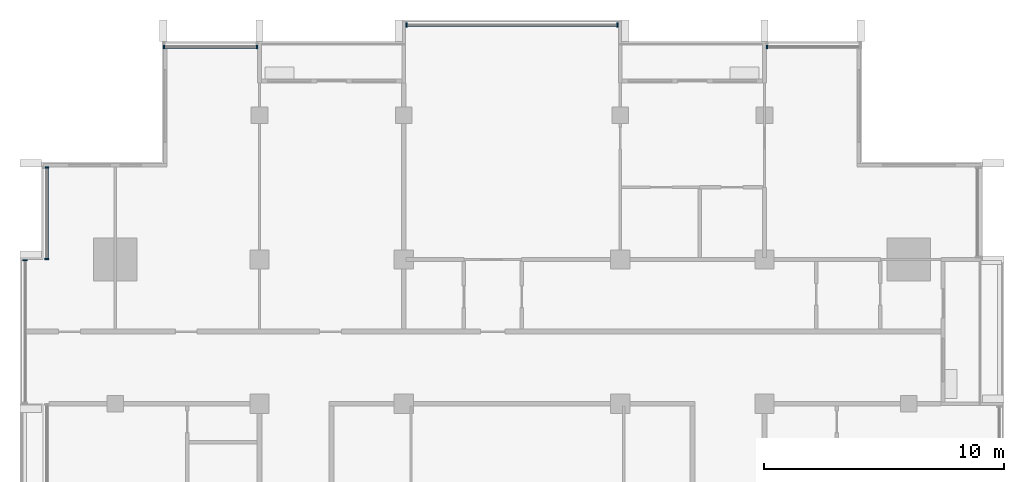
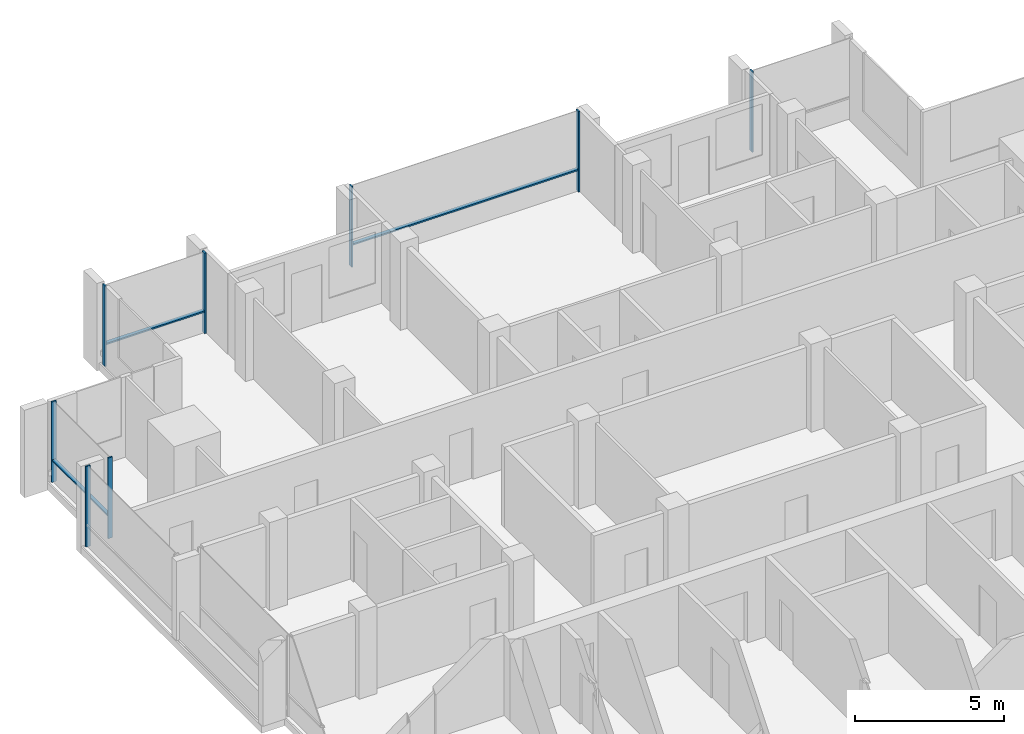
# One storey, part 4 of 16: 11 members, 5 elements without a shape of their own.
"""IFC4 building model written with IfcOpenShell, lengths in metres."""

from ifc_helpers import new_model, si_unit, direction, frame, origin, origin_2d, place, context, subcontext, project, spatial, rectangle, extrude, material, material_profile, profile_set, type_object, element, aggregate, save


model = new_model("IFC4")

# Units and contexts
model_context = context("Model", 3, precision=1e-05, world=origin(), true_north=direction((0.0, 1.0)))
body_context = subcontext(model_context, "Body", "Model", "MODEL_VIEW")
ifc_project = project(units=[si_unit("LENGTHUNIT", "METRE"), si_unit("AREAUNIT", "SQUARE_METRE"), si_unit("VOLUMEUNIT", "CUBIC_METRE"), si_unit("PLANEANGLEUNIT", "RADIAN"), si_unit("MASSUNIT", "GRAM", prefix="KILO")], contexts=[model_context])

# Site, building, storey
site_placement = place(None, origin())
site = spatial("IfcSite", under=ifc_project, at=site_placement, CompositionType="ELEMENT")
building_placement = place(site_placement, origin())
building = spatial("IfcBuilding", under=site, at=building_placement, Name="Finial Court Residences", CompositionType="ELEMENT")
storey_placement = place(building_placement, frame((0.0, 0.0, 259.10009765625)))
storey = spatial("IfcBuildingStorey", under=building, at=storey_placement, Name="L65", CompositionType="ELEMENT", Elevation=259.10009765625)

# Curtain wall, members
ifc_material = material(Name="Bronze anodised aluminium", Category="aluminium")
curtain_wall_type = type_object("IfcCurtainWallType", Name="Unitised curtain wall, upper zones", PredefinedType="NOTDEFINED", material=ifc_material)
curtain_wall_1_placement = place(storey_placement, origin())
curtain_wall_1 = element("IfcCurtainWall", 1, at=curtain_wall_1_placement, inside=storey, type_object=curtain_wall_type, Name="E-L65-CW-N1", PredefinedType="NOTDEFINED")
ifc_material_profile_1 = material_profile(ifc_material, rectangle(XDim=0.175048828125, YDim=0.06005859375, at=origin_2d()), Name="CW2 mullion 60 x 175")
ifc_profile_set_1 = profile_set([ifc_material_profile_1], Name="Bronze anodised aluminium")
member_type_1 = type_object("IfcMemberType", Name="CW2 mullion 60 x 175", PredefinedType="MULLION", material=ifc_profile_set_1)
member_1_placement = place(storey_placement, frame((-14.469970703125, 16.35009765625, 0.0), z_axis=(0.0, 0.0, 1.0), x_axis=(0.0, 1.0, 0.0)))
member_1 = element("IfcMember", 2, at=member_1_placement, type_object=member_type_1, Name="CW2 mullion 1", PredefinedType="MULLION", context=body_context, shape_type="SweptSolid", body=[
    extrude(rectangle(XDim=0.175048828125, YDim=0.06005859375, at=origin_2d()), origin(), (0.0, 0.0, 1.0), 3.2998046875),
])
member_2_placement = place(storey_placement, frame((-10.60498046875, 16.35009765625, 0.0), z_axis=(0.0, 0.0, 1.0), x_axis=(0.0, 1.0, 0.0)))
member_2 = element("IfcMember", 3, at=member_2_placement, type_object=member_type_1, Name="CW2 mullion 2", PredefinedType="MULLION", context=body_context, shape_type="SweptSolid", body=[
    extrude(rectangle(XDim=0.175048828125, YDim=0.06005859375, at=origin_2d()), origin(), (0.0, 0.0, 1.0), 3.2998046875),
])

curtain_wall_2_placement = place(storey_placement, origin())
curtain_wall_2 = element("IfcCurtainWall", 4, at=curtain_wall_2_placement, inside=storey, type_object=curtain_wall_type, Name="E-L65-CW-N2", PredefinedType="NOTDEFINED")
member_3_placement = place(storey_placement, frame((-4.39501953125, 17.25, 0.0), z_axis=(0.0, 0.0, 1.0), x_axis=(0.0, 1.0, 0.0)))
member_3 = element("IfcMember", 5, at=member_3_placement, type_object=member_type_1, Name="CW2 mullion 1", PredefinedType="MULLION", context=body_context, shape_type="SweptSolid", body=[
    extrude(rectangle(XDim=0.175048828125, YDim=0.06005859375, at=origin_2d()), origin(), (0.0, 0.0, 1.0), 3.2998046875),
])
member_4_placement = place(storey_placement, frame((4.39501953125, 17.25, 0.0), z_axis=(0.0, 0.0, 1.0), x_axis=(0.0, 1.0, 0.0)))
member_4 = element("IfcMember", 6, at=member_4_placement, type_object=member_type_1, Name="CW2 mullion 2", PredefinedType="MULLION", context=body_context, shape_type="SweptSolid", body=[
    extrude(rectangle(XDim=0.175048828125, YDim=0.06005859375, at=origin_2d()), origin(), (0.0, 0.0, 1.0), 3.2998046875),
])

# Curtain wall, member
curtain_wall_3_placement = place(storey_placement, origin())
curtain_wall_3 = element("IfcCurtainWall", 7, at=curtain_wall_3_placement, inside=storey, type_object=curtain_wall_type, Name="E-L65-CW-N3", PredefinedType="NOTDEFINED")
member_5_placement = place(storey_placement, frame((10.60498046875, 16.35009765625, 0.0), z_axis=(0.0, 0.0, 1.0), x_axis=(0.0, 1.0, 0.0)))
member_5 = element("IfcMember", 8, at=member_5_placement, type_object=member_type_1, Name="CW2 mullion 1", PredefinedType="MULLION", context=body_context, shape_type="SweptSolid", body=[
    extrude(rectangle(XDim=0.175048828125, YDim=0.06005859375, at=origin_2d()), origin(), (0.0, 0.0, 1.0), 3.2998046875),
])
aggregate(curtain_wall_3, [member_5])

curtain_wall_4_placement = place(storey_placement, origin())
curtain_wall_4 = element("IfcCurtainWall", 9, at=curtain_wall_4_placement, inside=storey, type_object=curtain_wall_type, Name="E-L65-CW-W10", PredefinedType="NOTDEFINED")
member_6_placement = place(storey_placement, frame((-20.25, 7.469970703125, 0.0), z_axis=(0.0, 0.0, 1.0), x_axis=(-1.0, 0.0, 0.0)))
member_6 = element("IfcMember", 10, at=member_6_placement, type_object=member_type_1, Name="CW2 mullion 2", PredefinedType="MULLION", context=body_context, shape_type="SweptSolid", body=[
    extrude(rectangle(XDim=0.175048828125, YDim=0.06005859375, at=origin_2d()), origin(), (0.0, 0.0, 1.0), 3.2998046875),
])
aggregate(curtain_wall_4, [member_6])

# Curtain wall, members
curtain_wall_5_placement = place(storey_placement, origin())
curtain_wall_5 = element("IfcCurtainWall", 11, at=curtain_wall_5_placement, inside=storey, type_object=curtain_wall_type, Name="E-L65-CW-W11", PredefinedType="NOTDEFINED")
member_7_placement = place(storey_placement, frame((-19.35009765625, 7.530029296875, 0.0), z_axis=(0.0, 0.0, 1.0), x_axis=(-1.0, 0.0, 0.0)))
member_7 = element("IfcMember", 12, at=member_7_placement, type_object=member_type_1, Name="CW2 mullion 1", PredefinedType="MULLION", context=body_context, shape_type="SweptSolid", body=[
    extrude(rectangle(XDim=0.175048828125, YDim=0.06005859375, at=origin_2d()), origin(), (0.0, 0.0, 1.0), 3.2998046875),
])
member_8_placement = place(storey_placement, frame((-19.35009765625, 11.320068359375, 0.0), z_axis=(0.0, 0.0, 1.0), x_axis=(-1.0, 0.0, 0.0)))
member_8 = element("IfcMember", 13, at=member_8_placement, type_object=member_type_1, Name="CW2 mullion 2", PredefinedType="MULLION", context=body_context, shape_type="SweptSolid", body=[
    extrude(rectangle(XDim=0.175048828125, YDim=0.06005859375, at=origin_2d()), origin(), (0.0, 0.0, 1.0), 3.2998046875),
])

# Member
ifc_material_profile_2 = material_profile(ifc_material, rectangle(XDim=0.139892578125, YDim=0.06005859375, at=origin_2d()), Name="CW2 transom 60 x 140")
ifc_profile_set_2 = profile_set([ifc_material_profile_2], Name="Bronze anodised aluminium")
member_type_2 = type_object("IfcMemberType", Name="CW2 transom 60 x 140", PredefinedType="USERDEFINED", material=ifc_profile_set_2)
member_9_placement = place(storey_placement, frame((-14.43994140625, 16.35009765625, 0.89990234375), z_axis=(1.0, 0.0, 0.0), x_axis=(0.0, 1.0, 0.0)))
member_9 = element("IfcMember", 14, at=member_9_placement, type_object=member_type_2, Name="CW2 transom 1.1", ObjectType="TRANSOM", PredefinedType="USERDEFINED", context=body_context, shape_type="SweptSolid", body=[
    extrude(rectangle(XDim=0.139892578125, YDim=0.06005859375, at=origin_2d()), origin(), (0.0, 0.0, 1.0), 3.804931640625),
])

aggregate(curtain_wall_1, [member_1, member_2, member_9])

member_10_placement = place(storey_placement, frame((-4.364990234375, 17.25, 0.89990234375), z_axis=(1.0, 0.0, 0.0), x_axis=(0.0, 1.0, 0.0)))
member_10 = element("IfcMember", 15, at=member_10_placement, type_object=member_type_2, Name="CW2 transom 1.1", ObjectType="TRANSOM", PredefinedType="USERDEFINED", context=body_context, shape_type="SweptSolid", body=[
    extrude(rectangle(XDim=0.139892578125, YDim=0.06005859375, at=origin_2d()), origin(), (0.0, 0.0, 1.0), 8.72998046875),
])

aggregate(curtain_wall_2, [member_3, member_4, member_10])

member_11_placement = place(storey_placement, frame((-19.35009765625, 7.56005859375, 0.89990234375), z_axis=(0.0, 1.0, 0.0), x_axis=(-1.0, 0.0, 0.0)))
member_11 = element("IfcMember", 16, at=member_11_placement, type_object=member_type_2, Name="CW2 transom 1.1", ObjectType="TRANSOM", PredefinedType="USERDEFINED", context=body_context, shape_type="SweptSolid", body=[
    extrude(rectangle(XDim=0.139892578125, YDim=0.06005859375, at=origin_2d()), origin(), (0.0, 0.0, 1.0), 3.72998046875),
])

aggregate(curtain_wall_5, [member_7, member_8, member_11])

save(model, "model.ifc")
